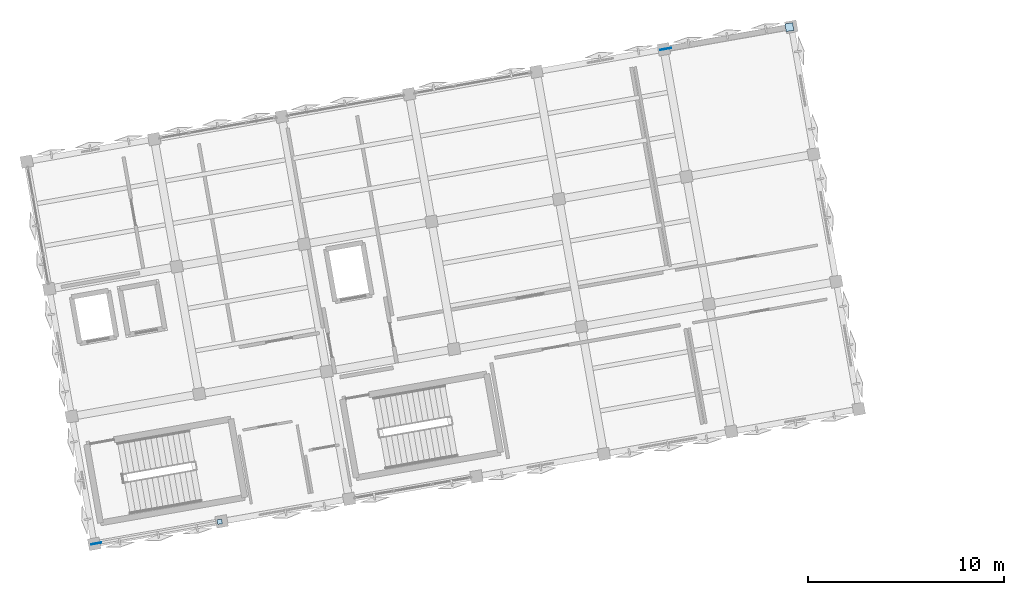
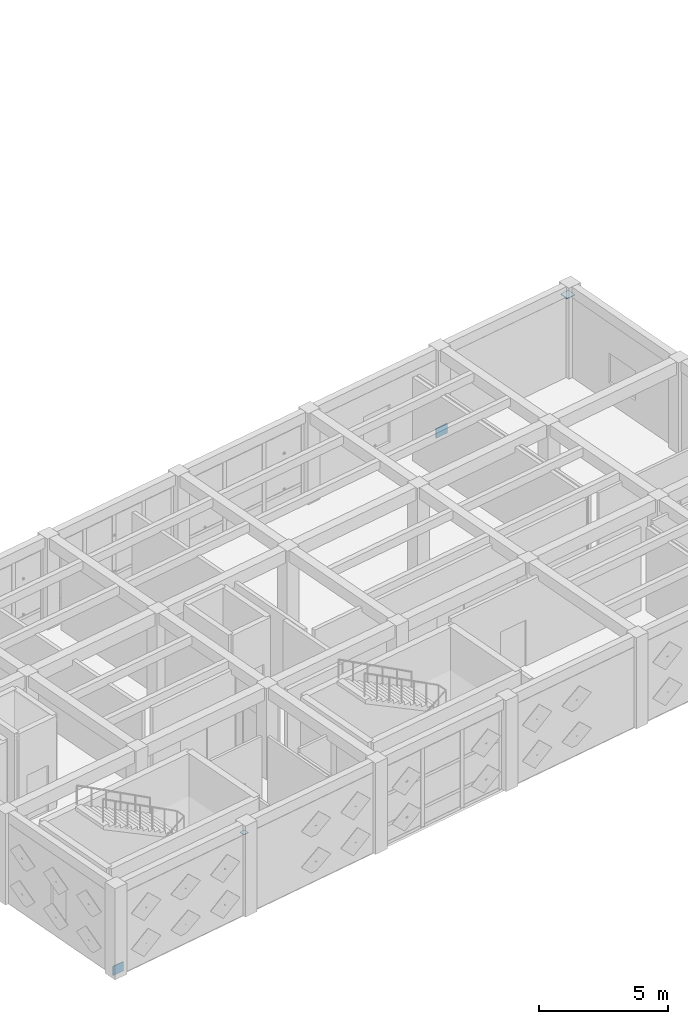
# One storey, part 18 of 29: 4 plates.
"""IFC4 building model written with IfcOpenShell, lengths in metres."""

from ifc_helpers import new_model, si_unit, direction, frame, origin, origin_2d, place, context, subcontext, project, spatial, rectangle, extrude, material, layer, layer_set, type_object, element, save


model = new_model("IFC4")

# Units and contexts
model_context = context("Model", 3, precision=1e-05, world=origin(), true_north=direction((0.0, 1.0)))
body_context = subcontext(model_context, "Body", "Model", "MODEL_VIEW")
ifc_project = project(units=[si_unit("LENGTHUNIT", "METRE"), si_unit("AREAUNIT", "SQUARE_METRE"), si_unit("VOLUMEUNIT", "CUBIC_METRE"), si_unit("PLANEANGLEUNIT", "RADIAN"), si_unit("MASSUNIT", "GRAM", prefix="KILO")], contexts=[model_context])

# Site, building, storey
site_placement = place(None, origin())
site = spatial("IfcSite", under=ifc_project, at=site_placement, CompositionType="ELEMENT")
building_placement = place(site_placement, origin())
building = spatial("IfcBuilding", under=site, at=building_placement, Name="Kharisveld Research Institute", CompositionType="ELEMENT")
storey_placement = place(building_placement, frame((0.0, 0.0, 32.10009765625)))
storey = spatial("IfcBuildingStorey", under=building, at=storey_placement, Name="L07", CompositionType="ELEMENT", Elevation=32.10009765625)

# Plates
ifc_material_1 = material(Name="Steel S355JR", Category="steel")
ifc_layer_1 = layer(ifc_material_1, 0.02587890625)
ifc_layer_set_1 = layer_set([ifc_layer_1], Name="PL_CAP_D")
plate_type_1 = type_object("IfcPlateType", Name="PL_CAP_D", PredefinedType="SHEET", material=ifc_layer_set_1)
plate_1_placement = place(storey_placement, frame((11.601318359375, 36.138671875, 3.7470703125), z_axis=(0.0, 0.0, 1.0), x_axis=(0.984807753012, 0.173648177667, 0.0)))
element("IfcPlate", 1, at=plate_1_placement, inside=storey, type_object=plate_type_1, Name="PLT:V1:L07:CAP_0_0", PredefinedType="SHEET", context=body_context, shape_type="SweptSolid", body=[
    extrude(rectangle(XDim=0.239990234375, YDim=0.239990234375, at=origin_2d()), origin(), (0.0, 0.0, 1.0), 0.02587890625),
])
ifc_material_2 = material(Name="Steel S355JR", Category="steel")
ifc_layer_2 = layer(ifc_material_2, 0.030029296875)
ifc_layer_set_2 = layer_set([ifc_layer_2], Name="PL_CAP_E")
plate_type_2 = type_object("IfcPlateType", Name="PL_CAP_E", PredefinedType="SHEET", material=ifc_layer_set_2)
plate_2_placement = place(storey_placement, frame((40.66162109375, 61.368408203125, 3.7451171875), z_axis=(0.0, 0.0, 1.0), x_axis=(0.984807753012, 0.173648177667, 0.0)))
element("IfcPlate", 2, at=plate_2_placement, inside=storey, type_object=plate_type_2, Name="PLT:V1:L07:CAP_5_3", PredefinedType="SHEET", context=body_context, shape_type="SweptSolid", body=[
    extrude(rectangle(XDim=0.39990234375, YDim=0.39990234375, at=origin_2d()), origin(), (0.0, 0.0, 1.0), 0.030029296875),
])
ifc_material_3 = material(Name="Steel S355JR", Category="steel")
ifc_layer_3 = layer(ifc_material_3, 0.028076171875)
ifc_layer_set_3 = layer_set([ifc_layer_3], Name="PL_GUS_D")
plate_type_3 = type_object("IfcPlateType", Name="PL_GUS_D", PredefinedType="USERDEFINED", material=ifc_layer_set_3)
plate_3_placement = place(storey_placement, frame((5.298583984375, 35.02734375, -0.02001953125), z_axis=(0.0, 0.0, 1.0), x_axis=(0.984807753012, 0.173648177667, 0.0)))
element("IfcPlate", 3, at=plate_3_placement, inside=storey, type_object=plate_type_3, Name="PLT:V1:L07:GUS_0_0", ObjectType="GUSSET PLATE", PredefinedType="USERDEFINED", context=body_context, shape_type="SweptSolid", body=[
    extrude(rectangle(XDim=0.52001953125, YDim=0.028076171875, at=origin_2d()), origin(), (0.0, 0.0, 1.0), 0.43994140625),
])
ifc_material_4 = material(Name="Steel S355JR", Category="steel")
ifc_layer_4 = layer(ifc_material_4, 0.031982421875)
ifc_layer_set_4 = layer_set([ifc_layer_4], Name="PL_GUS_E")
plate_type_4 = type_object("IfcPlateType", Name="PL_GUS_E", PredefinedType="USERDEFINED", material=ifc_layer_set_4)
plate_4_placement = place(storey_placement, frame((34.35888671875, 60.2568359375, -0.030029296875), z_axis=(0.0, 0.0, 1.0), x_axis=(0.984807753012, 0.173648177667, 0.0)))
element("IfcPlate", 4, at=plate_4_placement, inside=storey, type_object=plate_type_4, Name="PLT:V1:L07:GUS_5_3", ObjectType="GUSSET PLATE", PredefinedType="USERDEFINED", context=body_context, shape_type="SweptSolid", body=[
    extrude(rectangle(XDim=0.56005859375, YDim=0.031982421875, at=origin_2d()), origin(), (0.0, 0.0, 1.0), 0.4599609375),
])

save(model, "model.ifc")
